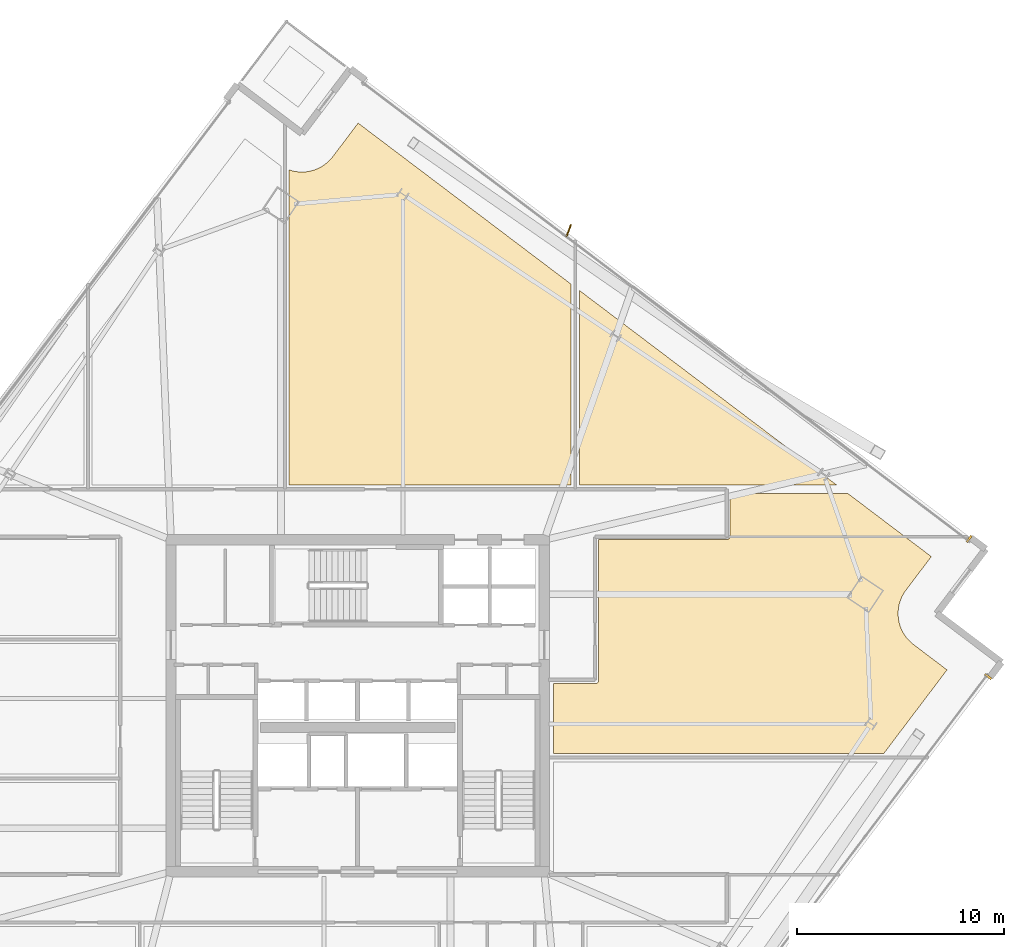
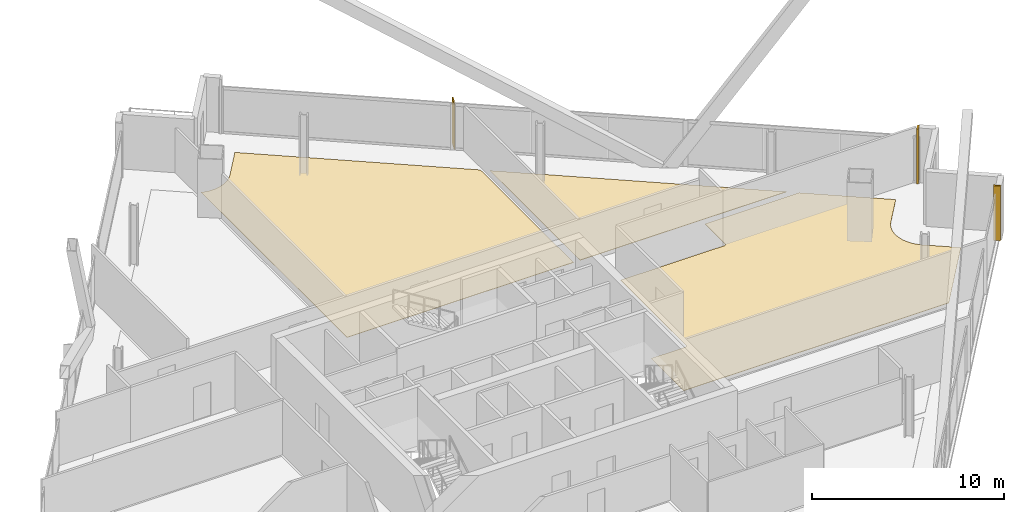
# One storey, part 34 of 34: 5 coverings, 1 shading device.
"""IFC4 building model written with IfcOpenShell, lengths in metres."""

from ifc_helpers import new_model, si_unit, direction, frame, origin, origin_2d, place, context, subcontext, project, spatial, polyline, rectangle, outline, extrude, source, transform, mapped, material, layer, layer_set, type_object, element, save


model = new_model("IFC4")

# Units and contexts
model_context = context("Model", 3, precision=1e-05, world=origin(), true_north=direction((0.0, 1.0)))
body_context = subcontext(model_context, "Body", "Model", "MODEL_VIEW")
ifc_project = project(units=[si_unit("LENGTHUNIT", "METRE"), si_unit("AREAUNIT", "SQUARE_METRE"), si_unit("VOLUMEUNIT", "CUBIC_METRE"), si_unit("PLANEANGLEUNIT", "RADIAN"), si_unit("MASSUNIT", "GRAM", prefix="KILO")], contexts=[model_context])

# Site, building, storey
site_placement = place(None, origin())
site = spatial("IfcSite", under=ifc_project, at=site_placement, CompositionType="ELEMENT")
building_placement = place(site_placement, origin())
building = spatial("IfcBuilding", under=site, at=building_placement, Name="Haldenkirk Collegiate Tower", CompositionType="ELEMENT")
storey_placement = place(building_placement, frame((0.0, 0.0, 205.949951171875)))
storey = spatial("IfcBuildingStorey", under=building, at=storey_placement, Name="L51", CompositionType="ELEMENT", Elevation=205.949951171875)

# Coverings
ifc_material_1 = material(Name="Polished collegiate terrazzo", Category="concrete")
ifc_layer_1 = layer(ifc_material_1, 0.02490234375)
ifc_layer_set_1 = layer_set([ifc_layer_1], Name="Polished collegiate terrazzo")
covering_type_1 = type_object("IfcCoveringType", Name="COV-FLOOR-TERRAZZO", PredefinedType="FLOORING", material=ifc_layer_set_1)
covering_1_placement = place(storey_placement, origin())
element("IfcCovering", 1, at=covering_1_placement, inside=storey, type_object=covering_type_1, Name="L51 academic room finish 06", PredefinedType="FLOORING", context=body_context, shape_type="SweptSolid", body=[
    extrude(outline(polyline([(59.102783203125, 36.64990234375), (46.699951171875, 36.64990234375), (46.699951171875, 46.030029296875), (59.102783203125, 36.64990234375)])), origin(), (0.0, 0.0, 1.0), 0.025146484375),
])
ifc_material_2 = material(Name="Engineered collegiate oak acoustic flooring", Category="wood")
ifc_layer_2 = layer(ifc_material_2, 0.02197265625)
ifc_layer_set_2 = layer_set([ifc_layer_2], Name="Engineered collegiate oak acoustic flooring")
covering_type_2 = type_object("IfcCoveringType", Name="COV-FLOOR-TIMBER", PredefinedType="FLOORING", material=ifc_layer_set_2)
covering_2_placement = place(storey_placement, origin())
element("IfcCovering", 2, at=covering_2_placement, inside=storey, type_object=covering_type_2, Name="L51 academic room finish 05", PredefinedType="FLOORING", context=body_context, shape_type="SweptSolid", body=[
    extrude(outline(polyline([(32.699951171875, 51.844970703125), (32.833984375, 51.802978515625), (32.84521484375, 51.800048828125), (33.013427734375, 51.764892578125), (33.02490234375, 51.76318359375), (33.19580078125, 51.74462890625), (33.20751953125, 51.743896484375), (33.37939453125, 51.742431640625), (33.39111328125, 51.742919921875), (33.56201171875, 51.758056640625), (33.57373046875, 51.759765625), (33.742431640625, 51.79150390625), (33.75390625, 51.794189453125), (33.918701171875, 51.842529296875), (33.929931640625, 51.846435546875), (34.089111328125, 51.910888671875), (34.099853515625, 51.915771484375), (34.252197265625, 51.9951171875), (34.26220703125, 52.001220703125), (34.406005859375, 52.09521484375), (34.41552734375, 52.102294921875), (34.54931640625, 52.2099609375), (34.557861328125, 52.2177734375), (34.680419921875, 52.337890625), (34.6884765625, 52.3466796875), (34.798583984375, 52.478515625), (34.802490234375, 52.48291015625), (36.02685546875, 54.10205078125), (46.300048828125, 46.33251953125), (46.300048828125, 36.64990234375), (32.699951171875, 36.64990234375), (32.699951171875, 51.844970703125)])), origin(), (0.0, 0.0, 1.0), 0.02197265625),
])
covering_3_placement = place(storey_placement, origin())
element("IfcCovering", 3, at=covering_3_placement, inside=storey, type_object=covering_type_2, Name="L51 academic room finish 11", PredefinedType="FLOORING", context=body_context, shape_type="SweptSolid", body=[
    extrude(outline(polyline([(62.446533203125, 31.57568359375), (62.443115234375, 31.571044921875), (62.346435546875, 31.42919921875), (62.34033203125, 31.419189453125), (62.2578125, 31.268310546875), (62.252685546875, 31.2578125), (62.185546875, 31.099853515625), (62.181396484375, 31.088623046875), (62.130126953125, 30.9248046875), (62.127197265625, 30.913330078125), (62.092041015625, 30.745361328125), (62.090087890625, 30.733642578125), (62.07177734375, 30.56298828125), (62.071044921875, 30.55126953125), (62.069580078125, 30.37939453125), (62.070068359375, 30.36767578125), (62.085205078125, 30.19677734375), (62.0869140625, 30.18505859375), (62.11865234375, 30.01611328125), (62.121337890625, 30.004638671875), (62.169677734375, 29.83984375), (62.173583984375, 29.828857421875), (62.23779296875, 29.66943359375), (62.242919921875, 29.65869140625), (62.322265625, 29.506591796875), (62.328369140625, 29.49658203125), (62.42236328125, 29.352783203125), (62.42919921875, 29.34326171875), (62.537109375, 29.20947265625), (62.544921875, 29.20068359375), (62.6650390625, 29.078125), (62.673828125, 29.0703125), (62.805419921875, 28.9599609375), (62.81005859375, 28.956298828125), (64.42919921875, 27.731689453125), (61.3798828125, 23.699951171875), (45.449951171875, 23.699951171875), (45.449951171875, 27.080078125), (47.5, 27.080078125), (47.51171875, 27.08056640625), (47.5234375, 27.082275390625), (47.534912109375, 27.085205078125), (47.5458984375, 27.089111328125), (47.556640625, 27.09423828125), (47.566650390625, 27.10009765625), (47.576171875, 27.107177734375), (47.5849609375, 27.114990234375), (47.5927734375, 27.123779296875), (47.599853515625, 27.13330078125), (47.605712890625, 27.143310546875), (47.61083984375, 27.154052734375), (47.61474609375, 27.165283203125), (47.61767578125, 27.176513671875), (47.619384765625, 27.188232421875), (47.6201171875, 27.199951171875), (47.6201171875, 34.030029296875), (53.85009765625, 34.030029296875), (53.86181640625, 34.030517578125), (53.873291015625, 34.0322265625), (53.884765625, 34.03515625), (53.89599609375, 34.0390625), (53.906494140625, 34.044189453125), (53.916748046875, 34.05029296875), (53.926025390625, 34.05712890625), (53.934814453125, 34.065185546875), (53.94287109375, 34.073974609375), (53.94970703125, 34.083251953125), (53.955810546875, 34.093505859375), (53.9609375, 34.10400390625), (53.96484375, 34.115234375), (53.9677734375, 34.126708984375), (53.969482421875, 34.13818359375), (53.969970703125, 34.14990234375), (53.969970703125, 36.25), (59.631591796875, 36.25), (63.671142578125, 33.19482421875), (62.446533203125, 31.57568359375)])), origin(), (0.0, 0.0, 1.0), 0.02197265625),
])
ifc_material_3 = material(Name="Anodised architectural bronze aluminium", Category="aluminium")
ifc_layer_3 = layer(ifc_material_3, 0.06005859375)
ifc_layer_set_3 = layer_set([ifc_layer_3], Name="Anodised architectural bronze aluminium")
covering_type_3 = type_object("IfcCoveringType", Name="COV-CLAD-BRONZE-60", PredefinedType="CLADDING", material=ifc_layer_set_3)
shared_shape_1 = source(origin(), body_context, "Body", "SweptSolid", [
    extrude(rectangle(XDim=0.10009765625, YDim=0.3798828125, at=origin_2d()), origin(), (0.0, 0.0, 1.0), 3.469970703125),
])
for number, where, z_axis, x_axis, name in (
    (4, (66.416015625, 27.407958984375, 0.0), (0.0, 0.0, 1.0), (-0.603207987745, -0.797583928825, 0.0), "L51 recessed curtain-wall bronze jamb closure SJL"),
    (5, (65.49462890625, 34.047607421875, 0.0), (0.0, 0.0, 1.0), (0.797583928825, -0.603207987745, 0.0), "L51 recessed curtain-wall bronze jamb closure EJR"),
):
    element("IfcCovering", number, at=place(storey_placement, frame(where, z_axis=z_axis, x_axis=x_axis)), inside=storey, type_object=covering_type_3, Name=name, PredefinedType="CLADDING", context=body_context, shape_type="MappedRepresentation", body=[
        mapped(shared_shape_1, transform((0.0, 0.0, 0.0), x_axis=(1.0, 0.0, 0.0), y_axis=(0.0, 1.0, 0.0), z_axis=(0.0, 0.0, 1.0), scale=1.0)),
    ])

# Shading device
ifc_layer_4 = layer(ifc_material_3, 0.06494140625)
ifc_layer_set_4 = layer_set([ifc_layer_4], Name="Anodised architectural bronze aluminium")
shading_device_type = type_object("IfcShadingDeviceType", Name="SHD-FIN-BRONZE-620", PredefinedType="USERDEFINED", material=ifc_layer_set_4)
shared_shape_2 = source(origin(), body_context, "Body", "SweptSolid", [
    extrude(rectangle(XDim=0.6201171875, YDim=0.06494140625, at=origin_2d()), origin(), (0.0, 0.0, 1.0), 2.927978515625),
])
shading_device_placement = place(storey_placement, frame((46.18115234375, 48.911376953125, 0.0), z_axis=(0.0, 0.0, 1.0), x_axis=(0.35999680812, 0.932953534825, 0.0)))
element("IfcShadingDevice", 6, at=shading_device_placement, inside=storey, type_object=shading_device_type, Name="L51 folded bronze solar fin 1", ObjectType="FIN", PredefinedType="USERDEFINED", context=body_context, shape_type="MappedRepresentation", body=[
    mapped(shared_shape_2, transform((0.0, 0.0, 0.0), x_axis=(1.0, 0.0, 0.0), y_axis=(0.0, 1.0, 0.0), z_axis=(0.0, 0.0, 1.0), scale=1.0)),
])

save(model, "model.ifc")
